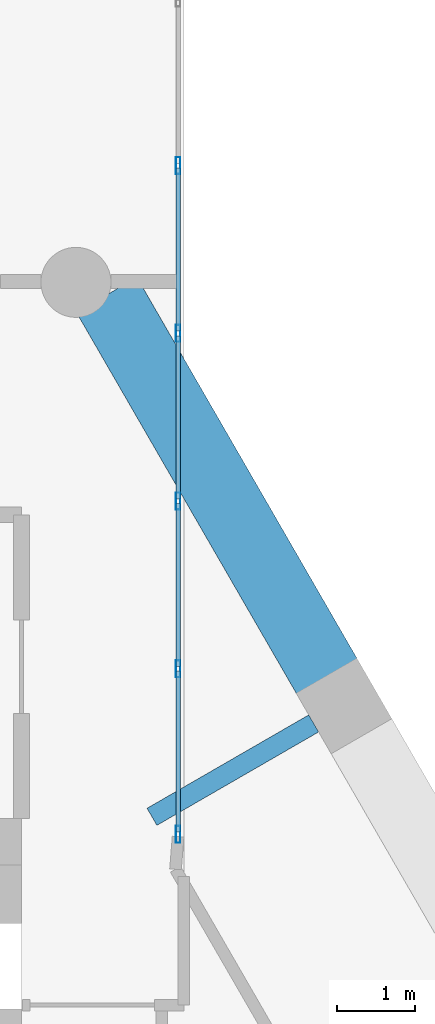
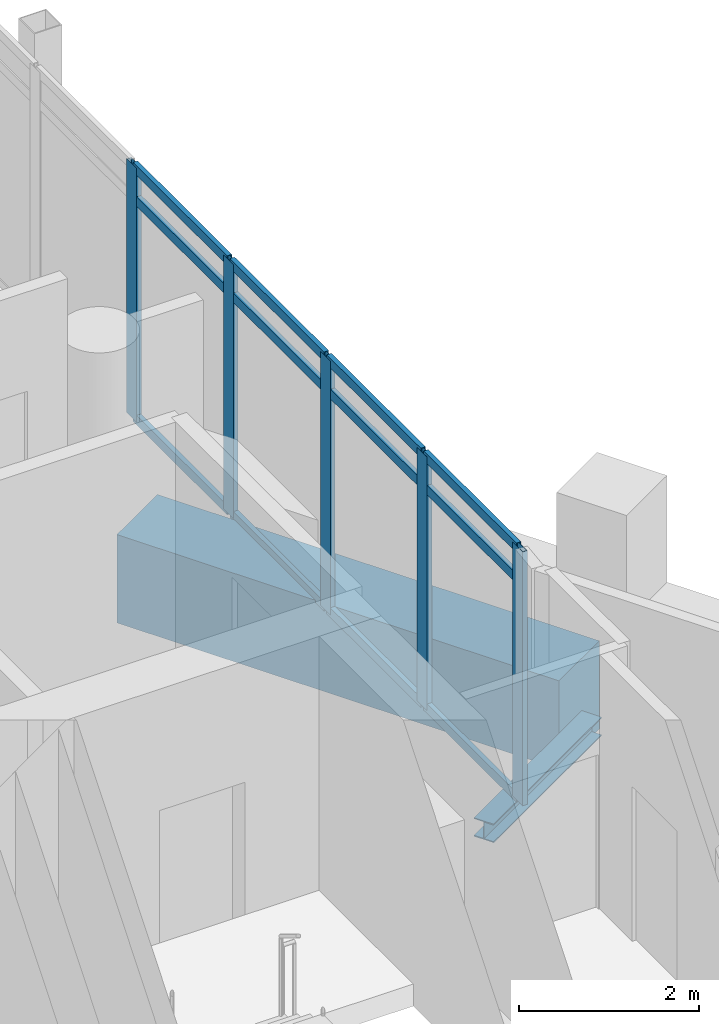
# One storey, part 12 of 25: 17 members, 2 beams, 1 element without a shape of its own.
"""IFC4 building model written with IfcOpenShell, lengths in metres."""

from ifc_helpers import new_model, si_unit, direction, frame, origin, origin_2d, place, context, subcontext, project, spatial, rectangle, hollow_rectangle, i_section, extrude, material, material_profile, profile_set, type_object, element, aggregate, save


model = new_model("IFC4")

# Units and contexts
model_context = context("Model", 3, precision=1e-05, world=origin(), true_north=direction((0.0, 1.0)))
body_context = subcontext(model_context, "Body", "Model", "MODEL_VIEW")
ifc_project = project(units=[si_unit("LENGTHUNIT", "METRE"), si_unit("AREAUNIT", "SQUARE_METRE"), si_unit("VOLUMEUNIT", "CUBIC_METRE"), si_unit("PLANEANGLEUNIT", "RADIAN"), si_unit("MASSUNIT", "GRAM", prefix="KILO")], contexts=[model_context])

# Site, building, storey
site_placement = place(None, origin())
site = spatial("IfcSite", under=ifc_project, at=site_placement, CompositionType="ELEMENT")
building_placement = place(site_placement, origin())
building = spatial("IfcBuilding", under=site, at=building_placement, Name="Ostrander Bayou Hotel Tower", CompositionType="ELEMENT")
storey_placement = place(building_placement, frame((0.0, 0.0, 233.25)))
storey = spatial("IfcBuildingStorey", under=building, at=storey_placement, Name="L58", CompositionType="ELEMENT", Elevation=233.25)

# Curtain wall, members
ifc_material_1 = material(Name="Aluminium and clear glass", Category="aluminium")
curtain_wall_type = type_object("IfcCurtainWallType", Name="CW-BAR glazed wall", PredefinedType="NOTDEFINED", material=ifc_material_1)
curtain_wall_placement = place(storey_placement, origin())
curtain_wall = element("IfcCurtainWall", 1, at=curtain_wall_placement, inside=storey, type_object=curtain_wall_type, Name="CW-BAR L58:SB5N:W", PredefinedType="NOTDEFINED")
ifc_material_2 = material(Name="Aluminium", Category="aluminium")
ifc_material_profile_1 = material_profile(ifc_material_2, hollow_rectangle(XDim=0.06005859375, YDim=0.219970703125, WallThickness=0.00390625, at=origin_2d()))
ifc_profile_set_1 = profile_set([ifc_material_profile_1], Name="Aluminium")
member_type_1 = type_object("IfcMemberType", Name="CW-BR mullion 60 x 220 mm", PredefinedType="MULLION", material=ifc_profile_set_1)
member_1_placement = place(storey_placement, frame((10.51220703125, 9.4951171875, 0.0), z_axis=(0.0, 0.0, 1.0), x_axis=(-1.0, 0.0, 0.0)))
member_1 = element("IfcMember", 2, at=member_1_placement, type_object=member_type_1, Name="CW-BAR mullion 1", PredefinedType="MULLION", context=body_context, shape_type="SweptSolid", body=[
    extrude(hollow_rectangle(XDim=0.06005859375, YDim=0.219970703125, WallThickness=0.00390625, at=origin_2d()), origin(), (0.0, 0.0, 1.0), 3.449951171875),
])
member_2_placement = place(storey_placement, frame((10.51220703125, 11.620849609375, 0.0), z_axis=(0.0, 0.0, 1.0), x_axis=(-1.0, 0.0, 0.0)))
member_2 = element("IfcMember", 3, at=member_2_placement, type_object=member_type_1, Name="CW-BAR mullion 2", PredefinedType="MULLION", context=body_context, shape_type="SweptSolid", body=[
    extrude(hollow_rectangle(XDim=0.06005859375, YDim=0.219970703125, WallThickness=0.00390625, at=origin_2d()), origin(), (0.0, 0.0, 1.0), 3.449951171875),
])
member_3_placement = place(storey_placement, frame((10.51220703125, 13.7763671875, 0.0), z_axis=(0.0, 0.0, 1.0), x_axis=(-1.0, 0.0, 0.0)))
member_3 = element("IfcMember", 4, at=member_3_placement, type_object=member_type_1, Name="CW-BAR mullion 3", PredefinedType="MULLION", context=body_context, shape_type="SweptSolid", body=[
    extrude(hollow_rectangle(XDim=0.06005859375, YDim=0.219970703125, WallThickness=0.00390625, at=origin_2d()), origin(), (0.0, 0.0, 1.0), 3.449951171875),
])
member_4_placement = place(storey_placement, frame((10.51220703125, 15.93212890625, 0.0), z_axis=(0.0, 0.0, 1.0), x_axis=(-1.0, 0.0, 0.0)))
member_4 = element("IfcMember", 5, at=member_4_placement, type_object=member_type_1, Name="CW-BAR mullion 4", PredefinedType="MULLION", context=body_context, shape_type="SweptSolid", body=[
    extrude(hollow_rectangle(XDim=0.06005859375, YDim=0.219970703125, WallThickness=0.00390625, at=origin_2d()), origin(), (0.0, 0.0, 1.0), 3.449951171875),
])
member_5_placement = place(storey_placement, frame((10.51220703125, 18.087890625, 0.0), z_axis=(0.0, 0.0, 1.0), x_axis=(-1.0, 0.0, 0.0)))
member_5 = element("IfcMember", 6, at=member_5_placement, type_object=member_type_1, Name="CW-BAR mullion 5", PredefinedType="MULLION", context=body_context, shape_type="SweptSolid", body=[
    extrude(hollow_rectangle(XDim=0.06005859375, YDim=0.219970703125, WallThickness=0.00390625, at=origin_2d()), origin(), (0.0, 0.0, 1.0), 3.449951171875),
])
ifc_material_3 = material(Name="Aluminium", Category="aluminium")
ifc_material_profile_2 = material_profile(ifc_material_3, hollow_rectangle(XDim=0.06005859375, YDim=0.1298828125, WallThickness=0.00390625, at=origin_2d()))
ifc_profile_set_2 = profile_set([ifc_material_profile_2], Name="Aluminium")
member_type_2 = type_object("IfcMemberType", Name="CW-BR transom 60 x 130 mm", PredefinedType="USERDEFINED", material=ifc_profile_set_2)
member_6_placement = place(storey_placement, frame((10.51220703125, 9.52490234375, 0.030029296875), z_axis=(0.0, 1.0, 0.0), x_axis=(-1.0, 0.0, 0.0)))
member_6 = element("IfcMember", 7, at=member_6_placement, type_object=member_type_2, Name="CW-BAR transom 1.1", ObjectType="TRANSOM", PredefinedType="USERDEFINED", context=body_context, shape_type="SweptSolid", body=[
    extrude(hollow_rectangle(XDim=0.06005859375, YDim=0.1298828125, WallThickness=0.00390625, at=origin_2d()), origin(), (0.0, 0.0, 1.0), 2.06591796875),
])
member_7_placement = place(storey_placement, frame((10.51220703125, 9.52490234375, 3.0), z_axis=(0.0, 1.0, 0.0), x_axis=(-1.0, 0.0, 0.0)))
member_7 = element("IfcMember", 8, at=member_7_placement, type_object=member_type_2, Name="CW-BAR transom 1.2", ObjectType="TRANSOM", PredefinedType="USERDEFINED", context=body_context, shape_type="SweptSolid", body=[
    extrude(hollow_rectangle(XDim=0.06005859375, YDim=0.1298828125, WallThickness=0.00390625, at=origin_2d()), origin(), (0.0, 0.0, 1.0), 2.06591796875),
])
member_8_placement = place(storey_placement, frame((10.51220703125, 9.52490234375, 3.419921875), z_axis=(0.0, 1.0, 0.0), x_axis=(-1.0, 0.0, 0.0)))
member_8 = element("IfcMember", 9, at=member_8_placement, type_object=member_type_2, Name="CW-BAR transom 1.3", ObjectType="TRANSOM", PredefinedType="USERDEFINED", context=body_context, shape_type="SweptSolid", body=[
    extrude(hollow_rectangle(XDim=0.06005859375, YDim=0.1298828125, WallThickness=0.00390625, at=origin_2d()), origin(), (0.0, 0.0, 1.0), 2.06591796875),
])
member_9_placement = place(storey_placement, frame((10.51220703125, 11.650634765625, 0.030029296875), z_axis=(0.0, 1.0, 0.0), x_axis=(-1.0, 0.0, 0.0)))
member_9 = element("IfcMember", 10, at=member_9_placement, type_object=member_type_2, Name="CW-BAR transom 2.1", ObjectType="TRANSOM", PredefinedType="USERDEFINED", context=body_context, shape_type="SweptSolid", body=[
    extrude(hollow_rectangle(XDim=0.06005859375, YDim=0.1298828125, WallThickness=0.00390625, at=origin_2d()), origin(), (0.0, 0.0, 1.0), 2.095947265625),
])
member_10_placement = place(storey_placement, frame((10.51220703125, 11.650634765625, 3.0), z_axis=(0.0, 1.0, 0.0), x_axis=(-1.0, 0.0, 0.0)))
member_10 = element("IfcMember", 11, at=member_10_placement, type_object=member_type_2, Name="CW-BAR transom 2.2", ObjectType="TRANSOM", PredefinedType="USERDEFINED", context=body_context, shape_type="SweptSolid", body=[
    extrude(hollow_rectangle(XDim=0.06005859375, YDim=0.1298828125, WallThickness=0.00390625, at=origin_2d()), origin(), (0.0, 0.0, 1.0), 2.095947265625),
])
member_11_placement = place(storey_placement, frame((10.51220703125, 11.650634765625, 3.419921875), z_axis=(0.0, 1.0, 0.0), x_axis=(-1.0, 0.0, 0.0)))
member_11 = element("IfcMember", 12, at=member_11_placement, type_object=member_type_2, Name="CW-BAR transom 2.3", ObjectType="TRANSOM", PredefinedType="USERDEFINED", context=body_context, shape_type="SweptSolid", body=[
    extrude(hollow_rectangle(XDim=0.06005859375, YDim=0.1298828125, WallThickness=0.00390625, at=origin_2d()), origin(), (0.0, 0.0, 1.0), 2.095947265625),
])
member_12_placement = place(storey_placement, frame((10.51220703125, 13.806396484375, 0.030029296875), z_axis=(0.0, 1.0, 0.0), x_axis=(-1.0, 0.0, 0.0)))
member_12 = element("IfcMember", 13, at=member_12_placement, type_object=member_type_2, Name="CW-BAR transom 3.1", ObjectType="TRANSOM", PredefinedType="USERDEFINED", context=body_context, shape_type="SweptSolid", body=[
    extrude(hollow_rectangle(XDim=0.06005859375, YDim=0.1298828125, WallThickness=0.00390625, at=origin_2d()), origin(), (0.0, 0.0, 1.0), 2.095703125),
])
member_13_placement = place(storey_placement, frame((10.51220703125, 13.806396484375, 3.0), z_axis=(0.0, 1.0, 0.0), x_axis=(-1.0, 0.0, 0.0)))
member_13 = element("IfcMember", 14, at=member_13_placement, type_object=member_type_2, Name="CW-BAR transom 3.2", ObjectType="TRANSOM", PredefinedType="USERDEFINED", context=body_context, shape_type="SweptSolid", body=[
    extrude(hollow_rectangle(XDim=0.06005859375, YDim=0.1298828125, WallThickness=0.00390625, at=origin_2d()), origin(), (0.0, 0.0, 1.0), 2.095703125),
])
member_14_placement = place(storey_placement, frame((10.51220703125, 13.806396484375, 3.419921875), z_axis=(0.0, 1.0, 0.0), x_axis=(-1.0, 0.0, 0.0)))
member_14 = element("IfcMember", 15, at=member_14_placement, type_object=member_type_2, Name="CW-BAR transom 3.3", ObjectType="TRANSOM", PredefinedType="USERDEFINED", context=body_context, shape_type="SweptSolid", body=[
    extrude(hollow_rectangle(XDim=0.06005859375, YDim=0.1298828125, WallThickness=0.00390625, at=origin_2d()), origin(), (0.0, 0.0, 1.0), 2.095703125),
])
member_15_placement = place(storey_placement, frame((10.51220703125, 15.962158203125, 0.030029296875), z_axis=(0.0, 1.0, 0.0), x_axis=(-1.0, 0.0, 0.0)))
member_15 = element("IfcMember", 16, at=member_15_placement, type_object=member_type_2, Name="CW-BAR transom 4.1", ObjectType="TRANSOM", PredefinedType="USERDEFINED", context=body_context, shape_type="SweptSolid", body=[
    extrude(hollow_rectangle(XDim=0.06005859375, YDim=0.1298828125, WallThickness=0.00390625, at=origin_2d()), origin(), (0.0, 0.0, 1.0), 2.095703125),
])
member_16_placement = place(storey_placement, frame((10.51220703125, 15.962158203125, 3.0), z_axis=(0.0, 1.0, 0.0), x_axis=(-1.0, 0.0, 0.0)))
member_16 = element("IfcMember", 17, at=member_16_placement, type_object=member_type_2, Name="CW-BAR transom 4.2", ObjectType="TRANSOM", PredefinedType="USERDEFINED", context=body_context, shape_type="SweptSolid", body=[
    extrude(hollow_rectangle(XDim=0.06005859375, YDim=0.1298828125, WallThickness=0.00390625, at=origin_2d()), origin(), (0.0, 0.0, 1.0), 2.095703125),
])
member_17_placement = place(storey_placement, frame((10.51220703125, 15.962158203125, 3.419921875), z_axis=(0.0, 1.0, 0.0), x_axis=(-1.0, 0.0, 0.0)))
member_17 = element("IfcMember", 18, at=member_17_placement, type_object=member_type_2, Name="CW-BAR transom 4.3", ObjectType="TRANSOM", PredefinedType="USERDEFINED", context=body_context, shape_type="SweptSolid", body=[
    extrude(hollow_rectangle(XDim=0.06005859375, YDim=0.1298828125, WallThickness=0.00390625, at=origin_2d()), origin(), (0.0, 0.0, 1.0), 2.095703125),
])
aggregate(curtain_wall, [member_1, member_2, member_3, member_4, member_5, member_6, member_7, member_8, member_9, member_10, member_11, member_12, member_13, member_14, member_15, member_16, member_17])

# Beams
ifc_material_4 = material(Name="Steel ASTM A992", Category="steel")
ifc_material_profile_3 = material_profile(ifc_material_4, i_section(OverallWidth=0.25390625, OverallDepth=0.25341796875, WebThickness=0.008544921875, FlangeThickness=0.01416015625, at=origin_2d()))
ifc_profile_set_3 = profile_set([ifc_material_profile_3], Name="Steel ASTM A992")
beam_type_1 = type_object("IfcBeamType", Name="LB2 loggia bracket W10x49", PredefinedType="BEAM", material=ifc_profile_set_3)
beam_1_placement = place(storey_placement, frame((12.254638671875, 10.919677734375, -0.4267578125), z_axis=(-0.866024647952, -0.500001309137, 0.0), x_axis=(0.500001309137, -0.866024647952, 0.0)))
element("IfcBeam", 19, at=beam_1_placement, inside=storey, type_object=beam_type_1, Name="LB2 L58 NE2", PredefinedType="BEAM", context=body_context, shape_type="SweptSolid", body=[
    extrude(i_section(OverallWidth=0.25390625, OverallDepth=0.25341796875, WebThickness=0.008544921875, FlangeThickness=0.01416015625, at=origin_2d()), origin(), (0.0, 0.0, 1.0), 2.39990234375),
])
ifc_material_5 = material(Name="Concrete f'c 60 MPa", Category="concrete")
ifc_material_profile_4 = material_profile(ifc_material_5, rectangle(XDim=0.89990234375, YDim=1.199951171875, at=origin_2d()))
ifc_profile_set_4 = profile_set([ifc_material_profile_4], Name="Concrete f'c 60 MPa")
beam_type_2 = type_object("IfcBeamType", Name="SP4 spandrel beam 900 x 1200 mm f'c 60 MPa", PredefinedType="SPANDREL", material=ifc_profile_set_4)
beam_2_placement = place(storey_placement, frame((12.434326171875, 11.50830078125, -0.60009765625), z_axis=(-0.499994028088, 0.866028851642, 0.0), x_axis=(-0.866028851642, -0.499994028088, 0.0)))
element("IfcBeam", 20, at=beam_2_placement, inside=storey, type_object=beam_type_2, Name="SP4 L58 NE-3", PredefinedType="SPANDREL", context=body_context, shape_type="SweptSolid", body=[
    extrude(rectangle(XDim=0.89990234375, YDim=1.199951171875, at=origin_2d()), origin(), (0.0, 0.0, 1.0), 5.6806640625),
])

save(model, "model.ifc")
